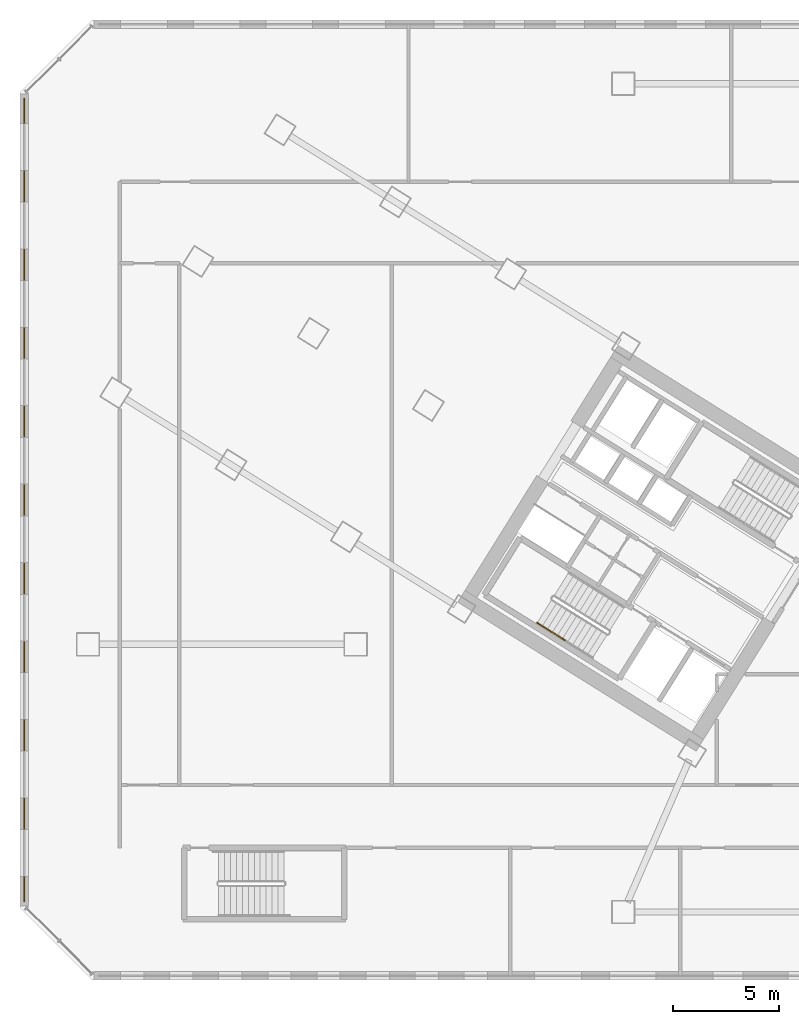
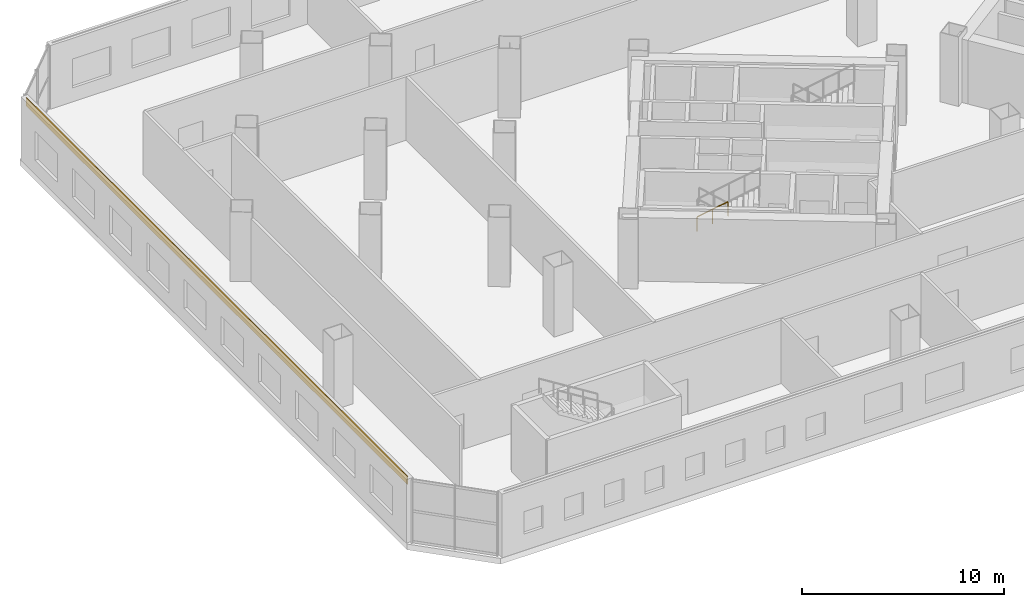
# One storey, part 17 of 22: 1 covering, 1 railing.
"""IFC4 building model written with IfcOpenShell, lengths in metres."""

from ifc_helpers import new_model, si_unit, direction, frame, origin, origin_2d, place, context, subcontext, project, spatial, rectangle, extrude, source, transform, mapped, material, layer, layer_set, type_object, element, save


model = new_model("IFC4")

# Units and contexts
model_context = context("Model", 3, precision=1e-05, world=origin(), true_north=direction((0.0, 1.0)))
body_context = subcontext(model_context, "Body", "Model", "MODEL_VIEW")
ifc_project = project(units=[si_unit("LENGTHUNIT", "METRE"), si_unit("AREAUNIT", "SQUARE_METRE"), si_unit("VOLUMEUNIT", "CUBIC_METRE"), si_unit("PLANEANGLEUNIT", "RADIAN"), si_unit("MASSUNIT", "GRAM", prefix="KILO")], contexts=[model_context])

# Site, building, storey
site_placement = place(None, origin())
site = spatial("IfcSite", under=ifc_project, at=site_placement, CompositionType="ELEMENT")
building_placement = place(site_placement, origin())
building = spatial("IfcBuilding", under=site, at=building_placement, Name="Tlacorven Tower", CompositionType="ELEMENT")
storey_placement = place(building_placement, frame((0.0, 0.0, 14.39990234375)))
storey = spatial("IfcBuildingStorey", under=building, at=storey_placement, Name="L03", CompositionType="ELEMENT", Elevation=14.39990234375)

# Covering
ifc_material_1 = material(Name="Precast concrete C45/55", Category="concrete")
ifc_layer = layer(ifc_material_1, 0.06005859375)
ifc_layer_set = layer_set([ifc_layer], Name="Precast concrete C45/55")
covering_type = type_object("IfcCoveringType", Name="CV-CLD-TERC", PredefinedType="CLADDING", material=ifc_layer_set)
shared_shape_1 = source(origin(), body_context, "Body", "SweptSolid", [
    extrude(rectangle(XDim=37.834228515625, YDim=0.06005859375, at=origin_2d()), origin(), (0.0, 0.0, 1.0), 0.47998046875),
])
covering_placement = place(storey_placement, frame((1.60009765625, 24.0, 3.3701171875), z_axis=(0.0, 0.0, 1.0), x_axis=(0.0, 1.0, 0.0)))
element("IfcCovering", 1, at=covering_placement, inside=storey, type_object=covering_type, Name="L03 Expressed Terracotta Masonry Spandrel Band 2", PredefinedType="CLADDING", context=body_context, shape_type="MappedRepresentation", body=[
    mapped(shared_shape_1, transform((0.0, 0.0, 0.0), scale=1.0)),
])

# Railing
ifc_material_2 = material(Name="Aluminium and painted steel balustrade", Category="steel")
railing_type = type_object("IfcRailingType", Name="RL-HND-0900", PredefinedType="HANDRAIL", material=ifc_material_2)
shared_shape_2 = source(origin(), body_context, "Body", "SweptSolid", [
    extrude(rectangle(XDim=0.048095703125, YDim=0.048095703125, at=origin_2d()), frame((0.0, 0.0, 0.8759765625), z_axis=(0.719125628956, -0.449436712956, 0.529966952579), x_axis=(0.529984689533, 0.848007210383, 0.0)), (0.0, 0.0, 1.0), 1.81591796875),
    extrude(rectangle(XDim=0.0419921875, YDim=0.0419921875, at=origin_2d()), origin(), (0.0, 0.0, 1.0), 0.851806640625),
    extrude(rectangle(XDim=0.0419921875, YDim=0.0419921875, at=origin_2d()), frame((0.65283203125, -0.408203125, 0.481201171875)), (0.0, 0.0, 1.0), 0.851806640625),
    extrude(rectangle(XDim=0.0419921875, YDim=0.0419921875, at=origin_2d()), frame((1.305908203125, -0.816162109375, 0.96240234375)), (0.0, 0.0, 1.0), 0.851806640625),
])
railing_placement = place(storey_placement, frame((25.75390625, 18.2119140625, 2.275146484375)))
element("IfcRailing", 2, at=railing_placement, inside=storey, type_object=railing_type, Name="L03 ST-W1 stair handrail 3", PredefinedType="HANDRAIL", context=body_context, shape_type="MappedRepresentation", body=[
    mapped(shared_shape_2, transform((0.0, 0.0, 0.0), scale=1.0)),
])

save(model, "model.ifc")
